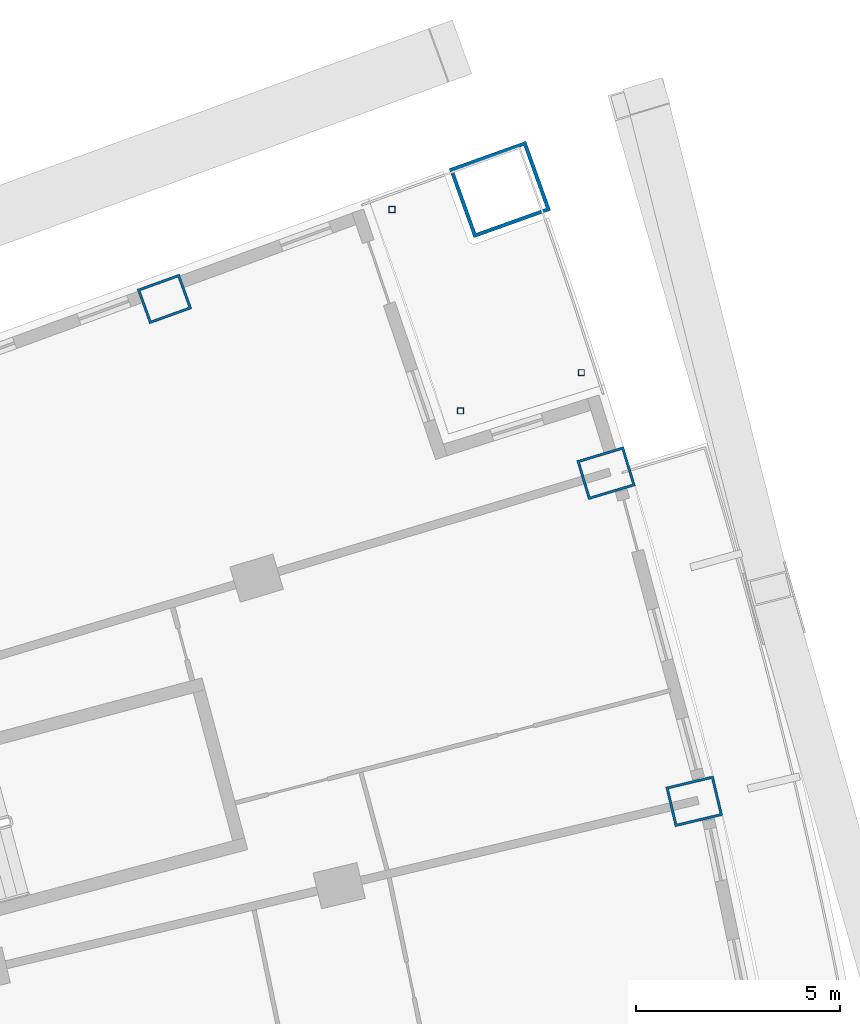
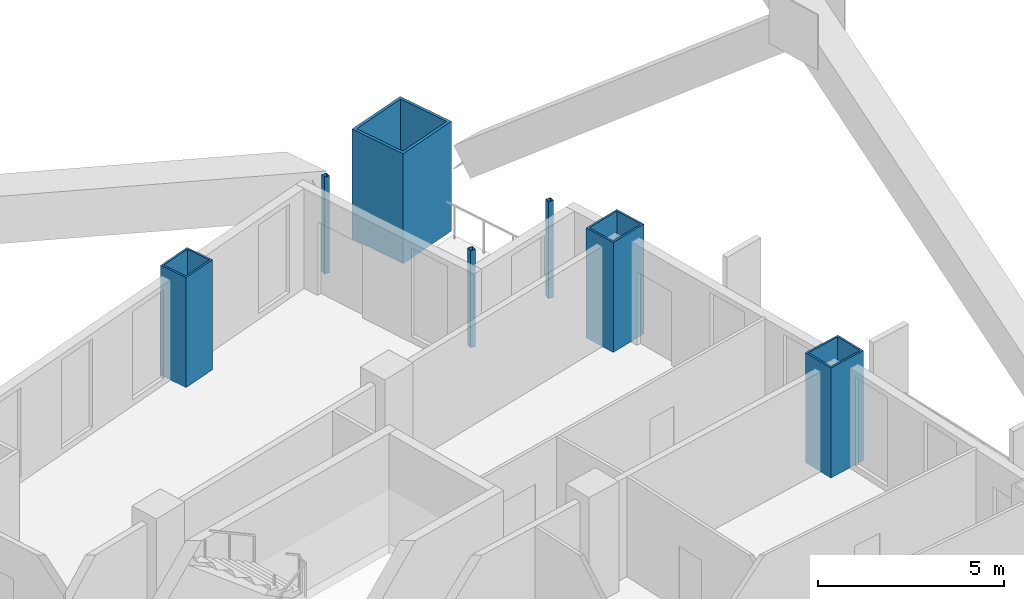
# One storey, part 8 of 23: 7 columns.
"""IFC4 building model written with IfcOpenShell, lengths in metres."""

from ifc_helpers import new_model, si_unit, direction, frame, origin, origin_2d, place, context, subcontext, project, spatial, hollow_rectangle, extrude, material, material_profile, profile_set, type_object, element, save


model = new_model("IFC4")

# Units and contexts
model_context = context("Model", 3, precision=1e-05, world=origin(), true_north=direction((0.0, 1.0)))
body_context = subcontext(model_context, "Body", "Model", "MODEL_VIEW")
ifc_project = project(units=[si_unit("LENGTHUNIT", "METRE"), si_unit("AREAUNIT", "SQUARE_METRE"), si_unit("VOLUMEUNIT", "CUBIC_METRE"), si_unit("PLANEANGLEUNIT", "RADIAN"), si_unit("MASSUNIT", "GRAM", prefix="KILO")], contexts=[model_context])

# Site, building, storey
site_placement = place(None, origin())
site = spatial("IfcSite", under=ifc_project, at=site_placement, CompositionType="ELEMENT")
building_placement = place(site_placement, origin())
building = spatial("IfcBuilding", under=site, at=building_placement, Name="Alderwake Tower", CompositionType="ELEMENT")
storey_placement = place(building_placement, frame((0.0, 0.0, 53.60009765625)))
storey = spatial("IfcBuildingStorey", under=building, at=storey_placement, Name="L12", CompositionType="ELEMENT", Elevation=53.60009765625)

# Columns
ifc_material_1 = material(Name="Steel ASTM A572 Grade 50 concrete filled C70/85", Category="concrete")
ifc_material_profile_1 = material_profile(ifc_material_1, hollow_rectangle(XDim=0.89990234375, YDim=1.10009765625, WallThickness=0.06005859375, at=origin_2d()), Name="BOX 1100X900X60")
ifc_profile_set_1 = profile_set([ifc_material_profile_1], Name="Steel ASTM A572 Grade 50 concrete filled C70/85")
column_type_1 = type_object("IfcColumnType", Name="End column Z1", PredefinedType="COLUMN", material=ifc_profile_set_1)
column_1_placement = place(storey_placement, frame((45.767333984375, 106.27001953125, 0.0), z_axis=(0.0, 0.0, 1.0), x_axis=(-0.33867716011, 0.940902641733, 0.0)))
element("IfcColumn", 1, at=column_1_placement, inside=storey, type_object=column_type_1, Name="Column R13-C4", PredefinedType="COLUMN", context=body_context, shape_type="SweptSolid", body=[
    extrude(hollow_rectangle(XDim=0.89990234375, YDim=1.10009765625, WallThickness=0.06005859375, at=origin_2d()), origin(), (0.0, 0.0, 1.0), 3.599853515625),
])
ifc_material_2 = material(Name="Steel ASTM A500 Grade C", Category="steel")
ifc_material_profile_2 = material_profile(ifc_material_2, hollow_rectangle(XDim=0.15234375, YDim=0.15234375, WallThickness=0.0087890625, at=origin_2d()), Name="HSS6X6X3/8")
ifc_profile_set_2 = profile_set([ifc_material_profile_2], Name="Steel ASTM A500 Grade C")
column_type_2 = type_object("IfcColumnType", Name="Light post HSS6X6X3/8", PredefinedType="COLUMN", material=ifc_profile_set_2)
for number, where, z_axis, x_axis, name in (
    (2, (55.9716796875, 104.4658203125, 0.0), (0.0, 0.0, 1.0), (1.0, 0.0, 0.0), "Terrace post FN1"),
    (3, (51.3369140625, 108.462646484375, 0.0), (0.0, 0.0, 1.0), (1.0, 0.0, 0.0), "Terrace post FN2"),
    (4, (53.015869140625, 103.53125, 0.0), (0.0, 0.0, 1.0), (1.0, 0.0, 0.0), "Terrace post FN3"),
):
    element("IfcColumn", number, at=place(storey_placement, frame(where, z_axis=z_axis, x_axis=x_axis)), inside=storey, type_object=column_type_2, Name=name, PredefinedType="COLUMN", context=body_context, shape_type="SweptSolid", body=[
        extrude(hollow_rectangle(XDim=0.15234375, YDim=0.15234375, WallThickness=0.0087890625, at=origin_2d()), origin(), (0.0, 0.0, 1.0), 3.179931640625),
    ])
ifc_material_3 = material(Name="Steel ASTM A572 Grade 50 concrete filled C70/85", Category="concrete")
ifc_material_profile_3 = material_profile(ifc_material_3, hollow_rectangle(XDim=1.800048828125, YDim=2.0, WallThickness=0.090087890625, at=origin_2d()), Name="BOX 2000X1800X90")
ifc_profile_set_3 = profile_set([ifc_material_profile_3], Name="Steel ASTM A572 Grade 50 concrete filled C70/85")
column_type_3 = type_object("IfcColumnType", Name="Mega column Z1", PredefinedType="COLUMN", material=ifc_profile_set_3)
column_2_placement = place(storey_placement, frame((53.97802734375, 108.94970703125, 0.0), z_axis=(0.0, 0.0, 1.0), x_axis=(-0.336962157792, 0.941518191123, 0.0)))
element("IfcColumn", 5, at=column_2_placement, inside=storey, type_object=column_type_3, Name="Column R13-C5", PredefinedType="COLUMN", context=body_context, shape_type="SweptSolid", body=[
    extrude(hollow_rectangle(XDim=1.800048828125, YDim=2.0, WallThickness=0.090087890625, at=origin_2d()), origin(), (0.0, 0.0, 1.0), 3.599853515625),
])
ifc_material_4 = material(Name="Steel ASTM A572 Grade 50 concrete filled C70/85", Category="concrete")
ifc_material_profile_4 = material_profile(ifc_material_4, hollow_rectangle(XDim=1.0, YDim=1.199951171875, WallThickness=0.06005859375, at=origin_2d()), Name="BOX 1200X1000X60")
ifc_profile_set_4 = profile_set([ifc_material_profile_4], Name="Steel ASTM A572 Grade 50 concrete filled C70/85")
column_type_4 = type_object("IfcColumnType", Name="Perimeter column Z1", PredefinedType="COLUMN", material=ifc_profile_set_4)
for number, where, z_axis, x_axis, name in (
    (6, (58.735595703125, 93.97216796875, 0.0), (0.0, 0.0, 1.0), (-0.231221547198, 0.972901123502, 0.0), "Column R11-C5"),
    (7, (56.577392578125, 102.00439453125, 0.0), (0.0, 0.0, 1.0), (-0.287549418125, 0.957765802342, 0.0), "Column R12-C5"),
):
    element("IfcColumn", number, at=place(storey_placement, frame(where, z_axis=z_axis, x_axis=x_axis)), inside=storey, type_object=column_type_4, Name=name, PredefinedType="COLUMN", context=body_context, shape_type="SweptSolid", body=[
        extrude(hollow_rectangle(XDim=1.0, YDim=1.199951171875, WallThickness=0.06005859375, at=origin_2d()), origin(), (0.0, 0.0, 1.0), 3.599853515625),
    ])

save(model, "model.ifc")
